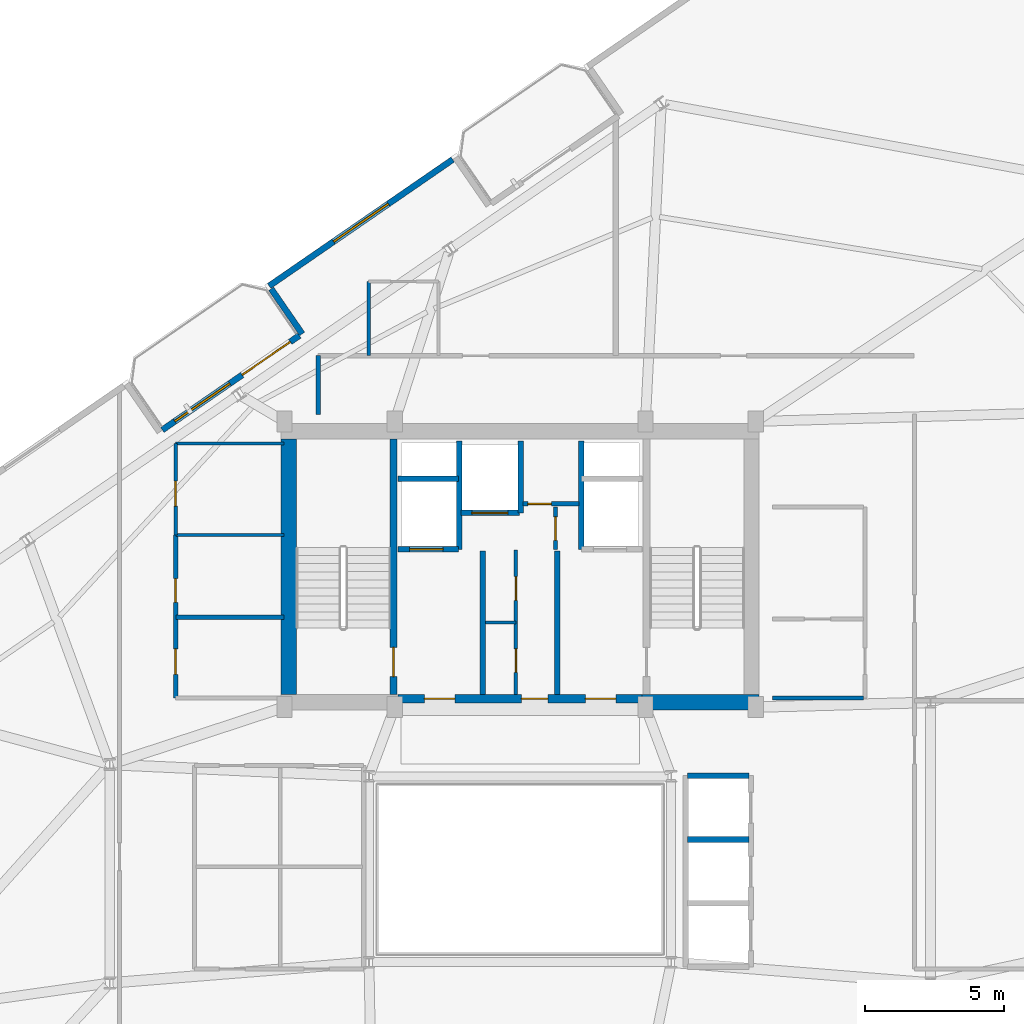
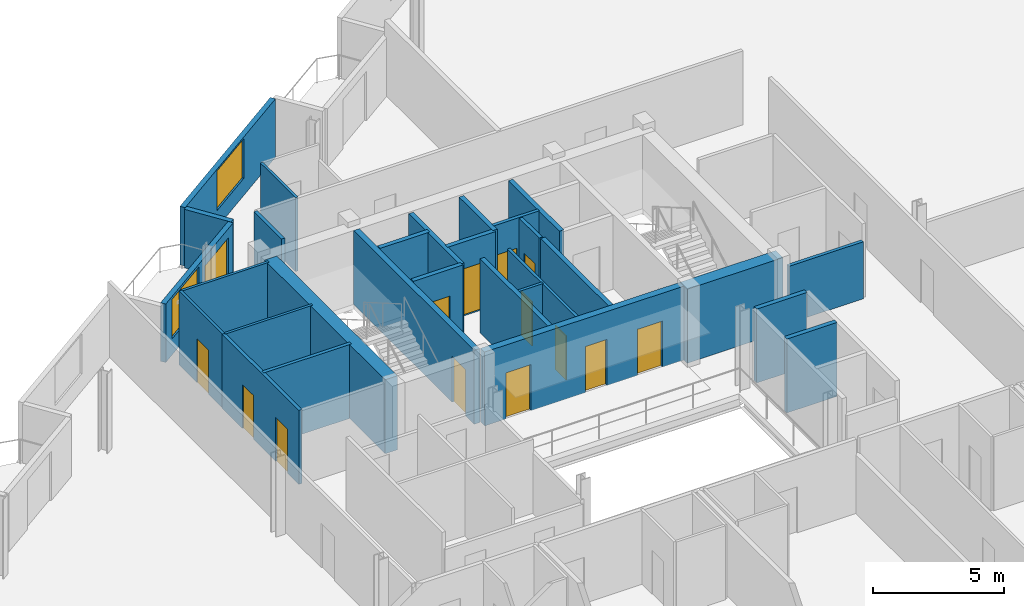
# One storey, part 17 of 22: 29 walls, 14 doors, 2 windows, 16 openings.
"""IFC4 building model written with IfcOpenShell, lengths in metres."""

from ifc_helpers import new_model, si_unit, direction, frame, frame_2d, origin, place, context, subcontext, project, spatial, rectangle, extrude, material, layer, layer_set, type_object, element, fill, save


model = new_model("IFC4")

# Units and contexts
model_context = context("Model", 3, precision=1e-05, world=origin(), true_north=direction((0.0, 1.0)))
body_context = subcontext(model_context, "Body", "Model", "MODEL_VIEW")
ifc_project = project(units=[si_unit("LENGTHUNIT", "METRE"), si_unit("AREAUNIT", "SQUARE_METRE"), si_unit("VOLUMEUNIT", "CUBIC_METRE"), si_unit("PLANEANGLEUNIT", "RADIAN"), si_unit("MASSUNIT", "GRAM", prefix="KILO")], contexts=[model_context])

# Site, building, storey
site_placement = place(None, origin())
site = spatial("IfcSite", under=ifc_project, at=site_placement, CompositionType="ELEMENT")
building_placement = place(site_placement, origin())
building = spatial("IfcBuilding", under=site, at=building_placement, Name="Varnelok Gate Tower", CompositionType="ELEMENT")
storey_placement = place(building_placement, frame((0.0, 0.0, 284.10009765625)))
storey = spatial("IfcBuildingStorey", under=building, at=storey_placement, Name="L73", CompositionType="ELEMENT", Elevation=284.10009765625)

# Wall, openings, door, window
ifc_material_1 = material(Name="Concrete C45/55", Category="concrete")
ifc_layer_1 = layer(ifc_material_1, 0.219970703125)
ifc_layer_set_1 = layer_set([ifc_layer_1], Name="Concrete C45/55")
wall_type_1 = type_object("IfcWallType", Name="EW-BALC-220", PredefinedType="SOLIDWALL", material=ifc_layer_set_1)
wall_1_placement = place(storey_placement, frame((26.29736328125, 38.742919921875, 0.0), z_axis=(0.0, 0.0, 1.0), x_axis=(0.823534636215, 0.567265989598, 0.0)))
wall_1 = element("IfcWall", 1, at=wall_1_placement, inside=storey, type_object=wall_type_1, Name="L73 North Terrace Envelope Wall 5", PredefinedType="SOLIDWALL", context=body_context, shape_type="SweptSolid", body=[
    extrude(rectangle(XDim=6.0, YDim=0.219970703125, at=frame_2d((3.0, 0.0))), origin(), (0.0, 0.0, 1.0), 2.72998046875),
])
opening_1_placement = place(wall_1_placement, frame((3.5, 0.0, 0.0)))
opening_1 = element("IfcOpeningElement", 2, at=opening_1_placement, cuts=wall_1, Name="Opening BD-2", PredefinedType="OPENING", context=body_context, shape_type="SweptSolid", body=[
    extrude(rectangle(XDim=2.10009765625, YDim=2.300048828125, at=frame_2d((1.050048828125, 1.14990234375))), frame((0.0, 0.119873046875, 0.0), z_axis=(0.0, -1.0, 0.0), x_axis=(1.0, 0.0, 0.0)), (0.0, 0.0, 1.0), 0.239990234375),
])
opening_2_placement = place(wall_1_placement, frame((0.550048828125, 0.0, 0.75)))
opening_2 = element("IfcOpeningElement", 3, at=opening_2_placement, cuts=wall_1, Name="Opening WN6", PredefinedType="OPENING", context=body_context, shape_type="SweptSolid", body=[
    extrude(rectangle(XDim=2.39990234375, YDim=1.85009765625, at=frame_2d((1.199951171875, 0.925048828125))), frame((0.0, 0.119873046875, 0.0), z_axis=(0.0, -1.0, 0.0), x_axis=(1.0, 0.0, 0.0)), (0.0, 0.0, 1.0), 0.239990234375),
])
ifc_material_2 = material(Name="Anodized Aluminum Alloy 6063-T6", Category="aluminium")
door_type_1 = type_object("IfcDoorType", Name="DR-EXT-SLID2100", OperationType="SLIDING_TO_LEFT", PredefinedType="DOOR", material=ifc_material_2)
door_1_placement = place(opening_1_placement, origin())
door_1 = element("IfcDoor", 4, at=door_1_placement, inside=storey, type_object=door_type_1, Name="L73 North Balcony Glazed Door 5", OperationType="SLIDING_TO_LEFT", OverallHeight=2.300048828125, OverallWidth=2.10009765625, PredefinedType="DOOR", context=body_context, shape_type="SweptSolid", body=[
    extrude(rectangle(XDim=2.10009765625, YDim=2.300048828125, at=frame_2d((1.050048828125, 1.14990234375))), frame((0.0, 0.02490234375, 0.0), z_axis=(0.0, -1.0, 0.0), x_axis=(1.0, 0.0, 0.0)), (0.0, 0.0, 1.0), 0.050048828125),
])
fill(opening_1, door_1)
ifc_material_3 = material(Name="Low-E Laminated Double Glazing IGU", Category="glass")
window_type = type_object("IfcWindowType", Name="WN-PEN-2400", PartitioningType="SINGLE_PANEL", PredefinedType="WINDOW", material=ifc_material_3)
window_1_placement = place(opening_2_placement, origin())
window_1 = element("IfcWindow", 5, at=window_1_placement, inside=storey, type_object=window_type, Name="L73 North Vision Window 5.1", OverallHeight=1.85009765625, OverallWidth=2.39990234375, PartitioningType="SINGLE_PANEL", PredefinedType="WINDOW", context=body_context, shape_type="SweptSolid", body=[
    extrude(rectangle(XDim=2.39990234375, YDim=1.85009765625, at=frame_2d((1.199951171875, 0.925048828125))), frame((0.0, 0.030029296875, 0.0), z_axis=(0.0, -1.0, 0.0), x_axis=(1.0, 0.0, 0.0)), (0.0, 0.0, 1.0), 0.06005859375),
])
fill(opening_2, window_1)

# Wall, opening, window
wall_2_placement = place(storey_placement, frame((36.768798828125, 48.493896484375, 0.0), z_axis=(0.0, 0.0, 1.0), x_axis=(-0.823521165086, -0.56728554596, 0.0)))
wall_2 = element("IfcWall", 6, at=wall_2_placement, inside=storey, type_object=wall_type_1, Name="L73 Perimeter Facade Closure Wall 32", PredefinedType="SOLIDWALL", context=body_context, shape_type="SweptSolid", body=[
    extrude(rectangle(XDim=8.034912109375, YDim=0.219970703125, at=frame_2d((4.017578125, 0.0))), origin(), (0.0, 0.0, 1.0), 2.72998046875),
])
opening_3_placement = place(wall_2_placement, frame((2.8173828125, 0.0, 0.800048828125)))
opening_3 = element("IfcOpeningElement", 7, at=opening_3_placement, cuts=wall_2, Name="Opening WN6", PredefinedType="OPENING", context=body_context, shape_type="SweptSolid", body=[
    extrude(rectangle(XDim=2.39990234375, YDim=1.85009765625, at=frame_2d((1.199951171875, 0.925048828125))), frame((0.0, 0.119873046875, 0.0), z_axis=(0.0, -1.0, 0.0), x_axis=(1.0, 0.0, 0.0)), (0.0, 0.0, 1.0), 0.239990234375),
])
window_2_placement = place(opening_3_placement, origin())
window_2 = element("IfcWindow", 8, at=window_2_placement, inside=storey, type_object=window_type, Name="L73 Perimeter Vision Window 32", OverallHeight=1.85009765625, OverallWidth=2.39990234375, PartitioningType="SINGLE_PANEL", PredefinedType="WINDOW", context=body_context, shape_type="SweptSolid", body=[
    extrude(rectangle(XDim=2.39990234375, YDim=1.85009765625, at=frame_2d((1.199951171875, 0.925048828125))), frame((0.0, 0.030029296875, 0.0), z_axis=(0.0, -1.0, 0.0), x_axis=(1.0, 0.0, 0.0)), (0.0, 0.0, 1.0), 0.06005859375),
])
fill(opening_3, window_2)

# Walls
wall_3_placement = place(storey_placement, frame((30.22265625, 43.8330078125, 0.0), z_axis=(0.0, 0.0, 1.0), x_axis=(0.567215821234, -0.823569190865, 0.0)))
element("IfcWall", 9, at=wall_3_placement, inside=storey, type_object=wall_type_1, Name="L73 Perimeter Facade Closure Wall 33", PredefinedType="SOLIDWALL", context=body_context, shape_type="SweptSolid", body=[
    extrude(rectangle(XDim=1.97509765625, YDim=0.219970703125, at=frame_2d((0.987548828125, 0.0))), origin(), (0.0, 0.0, 1.0), 2.72998046875),
])
ifc_material_4 = material(Name="Gypsum Plasterboard Acoustic Partition", Category="gypsum")
ifc_layer_2 = layer(ifc_material_4, 0.114990234375)
ifc_layer_set_2 = layer_set([ifc_layer_2], Name="Gypsum Plasterboard Acoustic Partition")
wall_type_2 = type_object("IfcWallType", Name="PW-ENS-125", PredefinedType="PARTITIONING", material=ifc_layer_set_2)
wall_4_placement = place(storey_placement, frame((33.739990234375, 41.419921875, 0.0), z_axis=(0.0, 0.0, 1.0), x_axis=(0.0, 1.0, 0.0)))
element("IfcWall", 10, at=wall_4_placement, inside=storey, type_object=wall_type_2, Name="Interior Partition", PredefinedType="PARTITIONING", context=body_context, shape_type="SweptSolid", body=[
    extrude(rectangle(XDim=2.68017578125, YDim=0.114990234375, at=frame_2d((1.340087890625, 0.0))), origin(), (0.0, 0.0, 1.0), 3.449951171875),
])
wall_5_placement = place(storey_placement, frame((26.800048828125, 34.949951171875, 0.0), z_axis=(0.0, 0.0, 1.0), x_axis=(1.0, 0.0, 0.0)))
element("IfcWall", 11, at=wall_5_placement, inside=storey, type_object=wall_type_2, Name="Interior Partition", PredefinedType="PARTITIONING", context=body_context, shape_type="SweptSolid", body=[
    extrude(rectangle(XDim=3.8798828125, YDim=0.114990234375, at=frame_2d((1.93994140625, 0.0))), origin(), (0.0, 0.0, 1.0), 3.449951171875),
])
wall_6_placement = place(storey_placement, frame((26.780029296875, 38.260009765625, 0.0), z_axis=(0.0, 0.0, 1.0), x_axis=(1.0, 0.0, 0.0)))
element("IfcWall", 12, at=wall_6_placement, inside=storey, type_object=wall_type_2, Name="Interior Partition", PredefinedType="PARTITIONING", context=body_context, shape_type="SweptSolid", body=[
    extrude(rectangle(XDim=3.89990234375, YDim=0.114990234375, at=frame_2d((1.949951171875, 0.0))), origin(), (0.0, 0.0, 1.0), 3.449951171875),
])

# Wall, opening, door
wall_7_placement = place(storey_placement, frame((26.780029296875, 34.949951171875, 0.0), z_axis=(0.0, 0.0, 1.0), x_axis=(0.0, 1.0, 0.0)))
wall_7 = element("IfcWall", 13, at=wall_7_placement, inside=storey, type_object=wall_type_2, Name="Interior Partition", PredefinedType="PARTITIONING", context=body_context, shape_type="SweptSolid", body=[
    extrude(rectangle(XDim=3.31005859375, YDim=0.114990234375, at=frame_2d((1.655029296875, 0.0))), origin(), (0.0, 0.0, 1.0), 3.449951171875),
])
opening_4_placement = place(wall_7_placement, frame((1.050048828125, 0.0, 0.0)))
opening_4 = element("IfcOpeningElement", 14, at=opening_4_placement, cuts=wall_7, Name="Opening D-WC", PredefinedType="OPENING", context=body_context, shape_type="SweptSolid", body=[
    extrude(rectangle(XDim=0.89990234375, YDim=2.050048828125, at=frame_2d((0.449951171875, 1.02490234375))), frame((0.0, 0.0673828125, 0.0), z_axis=(0.0, -1.0, 0.0), x_axis=(1.0, 0.0, 0.0)), (0.0, 0.0, 1.0), 0.135009765625),
])
ifc_material_5 = material(Name="Engineered Hardwood Timber", Category="wood")
door_type_2 = type_object("IfcDoorType", Name="DR-BATH-900", OperationType="NOTDEFINED", PredefinedType="DOOR", material=ifc_material_5)
door_2_placement = place(opening_4_placement, origin())
door_2 = element("IfcDoor", 15, at=door_2_placement, inside=storey, type_object=door_type_2, Name="L73 Core Staff WC Door", OperationType="SINGLE_SWING_LEFT", OverallHeight=2.050048828125, OverallWidth=0.89990234375, PredefinedType="DOOR", context=body_context, shape_type="SweptSolid", body=[
    extrude(rectangle(XDim=0.89990234375, YDim=2.050048828125, at=frame_2d((0.449951171875, 1.02490234375))), frame((0.0, 0.02490234375, 0.0), z_axis=(0.0, -1.0, 0.0), x_axis=(1.0, 0.0, 0.0)), (0.0, 0.0, 1.0), 0.050048828125),
])
fill(opening_4, door_2)

# Wall
ifc_layer_3 = layer(ifc_material_4, 0.125)
ifc_layer_set_3 = layer_set([ifc_layer_3], Name="Gypsum Plasterboard Acoustic Partition")
wall_type_3 = type_object("IfcWallType", Name="PW-PART-125", PredefinedType="PARTITIONING", material=ifc_layer_set_3)
wall_8_placement = place(storey_placement, frame((37.9599609375, 31.800048828125, 0.0), z_axis=(0.0, 0.0, 1.0), x_axis=(1.0, 0.0, 0.0)))
element("IfcWall", 16, at=wall_8_placement, inside=storey, type_object=wall_type_3, Name="Interior Partition", PredefinedType="PARTITIONING", context=body_context, shape_type="SweptSolid", body=[
    extrude(rectangle(XDim=1.090087890625, YDim=0.125, at=frame_2d((0.544921875, 0.0))), origin(), (0.0, 0.0, 1.0), 3.449951171875),
])

# Wall, openings, doors
wall_9_placement = place(storey_placement, frame((39.050048828125, 29.199951171875, 0.0), z_axis=(0.0, 0.0, 1.0), x_axis=(0.0, 1.0, 0.0)))
wall_9 = element("IfcWall", 17, at=wall_9_placement, inside=storey, type_object=wall_type_3, Name="Interior Partition", PredefinedType="PARTITIONING", context=body_context, shape_type="SweptSolid", body=[
    extrude(rectangle(XDim=5.219970703125, YDim=0.125, at=frame_2d((2.60986328125, 0.0))), origin(), (0.0, 0.0, 1.0), 3.449951171875),
])
opening_5_placement = place(wall_9_placement, frame((0.800048828125, 0.0, 0.0)))
opening_5 = element("IfcOpeningElement", 18, at=opening_5_placement, cuts=wall_9, Name="Opening D-RS", PredefinedType="OPENING", context=body_context, shape_type="SweptSolid", body=[
    extrude(rectangle(XDim=0.85009765625, YDim=2.050048828125, at=frame_2d((0.425048828125, 1.02490234375))), frame((0.0, 0.072509765625, 0.0), z_axis=(0.0, -1.0, 0.0), x_axis=(1.0, 0.0, 0.0)), (0.0, 0.0, 1.0), 0.14501953125),
])
opening_6_placement = place(wall_9_placement, frame((3.39990234375, 0.0, 0.0)))
opening_6 = element("IfcOpeningElement", 19, at=opening_6_placement, cuts=wall_9, Name="Opening D-RS", PredefinedType="OPENING", context=body_context, shape_type="SweptSolid", body=[
    extrude(rectangle(XDim=0.85009765625, YDim=2.050048828125, at=frame_2d((0.425048828125, 1.02490234375))), frame((0.0, 0.072509765625, 0.0), z_axis=(0.0, -1.0, 0.0), x_axis=(1.0, 0.0, 0.0)), (0.0, 0.0, 1.0), 0.14501953125),
])
ifc_material_6 = material(Name="Galvanized Steel Grade S350GD", Category="steel")
door_type_3 = type_object("IfcDoorType", Name="DR-RISER-850", OperationType="NOTDEFINED", PredefinedType="DOOR", material=ifc_material_6)
door_3_placement = place(opening_5_placement, origin())
door_3 = element("IfcDoor", 20, at=door_3_placement, inside=storey, type_object=door_type_3, Name="L73 Housekeeping Linen Door", OperationType="SINGLE_SWING_LEFT", OverallHeight=2.050048828125, OverallWidth=0.85009765625, PredefinedType="DOOR", context=body_context, shape_type="SweptSolid", body=[
    extrude(rectangle(XDim=0.85009765625, YDim=2.050048828125, at=frame_2d((0.425048828125, 1.02490234375))), frame((0.0, 0.02490234375, 0.0), z_axis=(0.0, -1.0, 0.0), x_axis=(1.0, 0.0, 0.0)), (0.0, 0.0, 1.0), 0.050048828125),
])
fill(opening_5, door_3)
door_4_placement = place(opening_6_placement, origin())
door_4 = element("IfcDoor", 21, at=door_4_placement, inside=storey, type_object=door_type_3, Name="L73 Janitor Sink Door", OperationType="SINGLE_SWING_RIGHT", OverallHeight=2.050048828125, OverallWidth=0.85009765625, PredefinedType="DOOR", context=body_context, shape_type="SweptSolid", body=[
    extrude(rectangle(XDim=0.85009765625, YDim=2.050048828125, at=frame_2d((0.425048828125, 1.02490234375))), frame((0.0, 0.02490234375, 0.0), z_axis=(0.0, -1.0, 0.0), x_axis=(1.0, 0.0, 0.0)), (0.0, 0.0, 1.0), 0.050048828125),
])
fill(opening_6, door_4)

# Wall
ifc_layer_4 = layer(ifc_material_4, 0.14990234375)
ifc_layer_set_4 = layer_set([ifc_layer_4], Name="Gypsum Plasterboard Acoustic Partition")
wall_type_4 = type_object("IfcWallType", Name="PW-PART-150", PredefinedType="PARTITIONING", material=ifc_layer_set_4)
wall_10_placement = place(storey_placement, frame((31.919921875, 39.300048828125, 0.0), z_axis=(0.0, 0.0, 1.0), x_axis=(0.0, 1.0, 0.0)))
element("IfcWall", 22, at=wall_10_placement, inside=storey, type_object=wall_type_4, Name="Interior Partition", PredefinedType="PARTITIONING", context=body_context, shape_type="SweptSolid", body=[
    extrude(rectangle(XDim=2.119873046875, YDim=0.14990234375, at=frame_2d((1.06005859375, 0.0))), origin(), (0.0, 0.0, 1.0), 3.449951171875),
])

# Wall, opening, door
wall_11_placement = place(storey_placement, frame((39.300048828125, 36.080078125, 0.0), z_axis=(0.0, 0.0, 1.0), x_axis=(1.0, 0.0, 0.0)))
wall_11 = element("IfcWall", 23, at=wall_11_placement, inside=storey, type_object=wall_type_4, Name="L73 Electrical Closet South Wall", PredefinedType="PARTITIONING", context=body_context, shape_type="SweptSolid", body=[
    extrude(rectangle(XDim=2.02001953125, YDim=0.14990234375, at=frame_2d((1.010009765625, 0.0))), origin(), (0.0, 0.0, 1.0), 3.449951171875),
])
opening_7_placement = place(wall_11_placement, frame((0.179931640625, 0.0, 0.0)))
opening_7 = element("IfcOpeningElement", 24, at=opening_7_placement, cuts=wall_11, Name="Opening D-RS", PredefinedType="OPENING", context=body_context, shape_type="SweptSolid", body=[
    extrude(rectangle(XDim=0.85009765625, YDim=2.050048828125, at=frame_2d((0.425048828125, 1.02490234375))), frame((0.0, 0.0849609375, 0.0), z_axis=(0.0, -1.0, 0.0), x_axis=(1.0, 0.0, 0.0)), (0.0, 0.0, 1.0), 0.169921875),
])
door_5_placement = place(opening_7_placement, origin())
door_5 = element("IfcDoor", 25, at=door_5_placement, inside=storey, type_object=door_type_3, Name="L73 Electrical Closet Door", OperationType="SINGLE_SWING_RIGHT", OverallHeight=2.050048828125, OverallWidth=0.85009765625, PredefinedType="DOOR", context=body_context, shape_type="SweptSolid", body=[
    extrude(rectangle(XDim=0.85009765625, YDim=2.050048828125, at=frame_2d((0.425048828125, 1.02490234375))), frame((0.0, 0.02490234375, 0.0), z_axis=(0.0, -1.0, 0.0), x_axis=(1.0, 0.0, 0.0)), (0.0, 0.0, 1.0), 0.050048828125),
])
fill(opening_7, door_5)

wall_12_placement = place(storey_placement, frame((40.47998046875, 34.43994140625, 0.0), z_axis=(0.0, 0.0, 1.0), x_axis=(0.0, 1.0, 0.0)))
wall_12 = element("IfcWall", 26, at=wall_12_placement, inside=storey, type_object=wall_type_4, Name="L73 Telecoms Closet West Wall", PredefinedType="PARTITIONING", context=body_context, shape_type="SweptSolid", body=[
    extrude(rectangle(XDim=1.52001953125, YDim=0.14990234375, at=frame_2d((0.760009765625, 0.0))), origin(), (0.0, 0.0, 1.0), 3.449951171875),
])
opening_8_placement = place(wall_12_placement, frame((0.320068359375, 0.0, 0.0)))
opening_8 = element("IfcOpeningElement", 27, at=opening_8_placement, cuts=wall_12, Name="Opening D-RS", PredefinedType="OPENING", context=body_context, shape_type="SweptSolid", body=[
    extrude(rectangle(XDim=0.85009765625, YDim=2.050048828125, at=frame_2d((0.425048828125, 1.02490234375))), frame((0.0, 0.0849609375, 0.0), z_axis=(0.0, -1.0, 0.0), x_axis=(1.0, 0.0, 0.0)), (0.0, 0.0, 1.0), 0.169921875),
])
door_6_placement = place(opening_8_placement, origin())
door_6 = element("IfcDoor", 28, at=door_6_placement, inside=storey, type_object=door_type_3, Name="L73 Telecoms Closet Door", OperationType="SINGLE_SWING_LEFT", OverallHeight=2.050048828125, OverallWidth=0.85009765625, PredefinedType="DOOR", context=body_context, shape_type="SweptSolid", body=[
    extrude(rectangle(XDim=0.85009765625, YDim=2.050048828125, at=frame_2d((0.425048828125, 1.02490234375))), frame((0.0, 0.02490234375, 0.0), z_axis=(0.0, -1.0, 0.0), x_axis=(1.0, 0.0, 0.0)), (0.0, 0.0, 1.0), 0.050048828125),
])
fill(opening_8, door_6)

# Wall
wall_13_placement = place(storey_placement, frame((26.800048828125, 31.989990234375, 0.0), z_axis=(0.0, 0.0, 1.0), x_axis=(1.0, 0.0, 0.0)))
element("IfcWall", 29, at=wall_13_placement, inside=storey, type_object=wall_type_4, Name="Interior Partition", PredefinedType="PARTITIONING", context=body_context, shape_type="SweptSolid", body=[
    extrude(rectangle(XDim=3.8798828125, YDim=0.14990234375, at=frame_2d((1.93994140625, 0.0))), origin(), (0.0, 0.0, 1.0), 3.449951171875),
])

# Wall, openings, doors
wall_14_placement = place(storey_placement, frame((26.780029296875, 29.080078125, 0.0), z_axis=(0.0, 0.0, 1.0), x_axis=(0.0, 1.0, 0.0)))
wall_14 = element("IfcWall", 30, at=wall_14_placement, inside=storey, type_object=wall_type_4, Name="Interior Partition", PredefinedType="PARTITIONING", context=body_context, shape_type="SweptSolid", body=[
    extrude(rectangle(XDim=5.869873046875, YDim=0.14990234375, at=frame_2d((2.93505859375, 0.0))), origin(), (0.0, 0.0, 1.0), 3.449951171875),
])
opening_9_placement = place(wall_14_placement, frame((0.85009765625, 0.0, 0.0)))
opening_9 = element("IfcOpeningElement", 31, at=opening_9_placement, cuts=wall_14, Name="Opening D-I3", PredefinedType="OPENING", context=body_context, shape_type="SweptSolid", body=[
    extrude(rectangle(XDim=0.919921875, YDim=2.050048828125, at=frame_2d((0.4599609375, 1.02490234375))), frame((0.0, 0.0849609375, 0.0), z_axis=(0.0, -1.0, 0.0), x_axis=(1.0, 0.0, 0.0)), (0.0, 0.0, 1.0), 0.169921875),
])
opening_10_placement = place(wall_14_placement, frame((3.449951171875, 0.0, 0.0)))
opening_10 = element("IfcOpeningElement", 32, at=opening_10_placement, cuts=wall_14, Name="Opening D-RS", PredefinedType="OPENING", context=body_context, shape_type="SweptSolid", body=[
    extrude(rectangle(XDim=0.85009765625, YDim=2.050048828125, at=frame_2d((0.425048828125, 1.02490234375))), frame((0.0, 0.0849609375, 0.0), z_axis=(0.0, -1.0, 0.0), x_axis=(1.0, 0.0, 0.0)), (0.0, 0.0, 1.0), 0.169921875),
])
door_type_4 = type_object("IfcDoorType", Name="DR-INT-920", OperationType="NOTDEFINED", PredefinedType="DOOR", material=ifc_material_5)
door_7_placement = place(opening_9_placement, origin())
door_7 = element("IfcDoor", 33, at=door_7_placement, inside=storey, type_object=door_type_4, Name="L73 Core Linen Door", OperationType="SINGLE_SWING_LEFT", OverallHeight=2.050048828125, OverallWidth=0.919921875, PredefinedType="DOOR", context=body_context, shape_type="SweptSolid", body=[
    extrude(rectangle(XDim=0.919921875, YDim=2.050048828125, at=frame_2d((0.4599609375, 1.02490234375))), frame((0.0, 0.02490234375, 0.0), z_axis=(0.0, -1.0, 0.0), x_axis=(1.0, 0.0, 0.0)), (0.0, 0.0, 1.0), 0.050048828125),
])
fill(opening_9, door_7)
door_8_placement = place(opening_10_placement, origin())
door_8 = element("IfcDoor", 34, at=door_8_placement, inside=storey, type_object=door_type_3, Name="L73 Core Janitor Door", OperationType="SINGLE_SWING_RIGHT", OverallHeight=2.050048828125, OverallWidth=0.85009765625, PredefinedType="DOOR", context=body_context, shape_type="SweptSolid", body=[
    extrude(rectangle(XDim=0.85009765625, YDim=2.050048828125, at=frame_2d((0.425048828125, 1.02490234375))), frame((0.0, 0.02490234375, 0.0), z_axis=(0.0, -1.0, 0.0), x_axis=(1.0, 0.0, 0.0)), (0.0, 0.0, 1.0), 0.050048828125),
])
fill(opening_10, door_8)

# Walls
wall_15_placement = place(storey_placement, frame((48.300048828125, 29.080078125, 0.0), z_axis=(0.0, 0.0, 1.0), x_axis=(1.0, 0.0, 0.0)))
element("IfcWall", 35, at=wall_15_placement, inside=storey, type_object=wall_type_4, Name="Interior Partition", PredefinedType="PARTITIONING", context=body_context, shape_type="SweptSolid", body=[
    extrude(rectangle(XDim=3.280029296875, YDim=0.14990234375, at=frame_2d((1.64013671875, 0.0))), origin(), (0.0, 0.0, 1.0), 2.661865234375),
])
ifc_material_7 = material(Name="Concrete C35/45", Category="concrete")
ifc_layer_5 = layer(ifc_material_7, 0.199951171875)
ifc_layer_set_5 = layer_set([ifc_layer_5], Name="Concrete C35/45")
wall_type_5 = type_object("IfcWallType", Name="PW-SHAFT-200", PredefinedType="PARTITIONING", material=ifc_layer_set_5)
for number, where, z_axis, x_axis, name in (
    (36, (37.860107421875, 29.199951171875, 0.0), (0.0, 0.0, 1.0), (0.0, 1.0, 0.0), "L73 West FF Lobby Rated Wall"),
    (37, (40.5400390625, 29.199951171875, 0.0), (0.0, 0.0, 1.0), (0.0, 1.0, 0.0), "L73 East FF Lobby Rated Wall"),
):
    element("IfcWall", number, at=place(storey_placement, frame(where, z_axis=z_axis, x_axis=x_axis)), inside=storey, type_object=wall_type_5, Name=name, PredefinedType="PARTITIONING", context=body_context, shape_type="SweptSolid", body=[
        extrude(rectangle(XDim=5.179931640625, YDim=0.199951171875, at=frame_2d((2.58984375, 0.0))), origin(), (0.0, 0.0, 1.0), 3.449951171875),
    ])

# Wall, opening, door
wall_16_placement = place(storey_placement, frame((34.800048828125, 34.43994140625, 0.0), z_axis=(0.0, 0.0, 1.0), x_axis=(1.0, 0.0, 0.0)))
wall_16 = element("IfcWall", 38, at=wall_16_placement, inside=storey, type_object=wall_type_5, Name="L73 FF1 Shaft Front Wall", PredefinedType="PARTITIONING", context=body_context, shape_type="SweptSolid", body=[
    extrude(rectangle(XDim=2.179931640625, YDim=0.199951171875, at=frame_2d((1.08984375, 0.0))), origin(), (0.0, 0.0, 1.0), 3.449951171875),
])
opening_11_placement = place(wall_16_placement, frame((0.419921875, 0.0, 0.0)))
opening_11 = element("IfcOpeningElement", 39, at=opening_11_placement, cuts=wall_16, Name="Opening LD-FF1", PredefinedType="OPENING", context=body_context, shape_type="SweptSolid", body=[
    extrude(rectangle(XDim=1.199951171875, YDim=2.199951171875, at=frame_2d((0.60009765625, 1.10009765625))), frame((0.0, 0.10986328125, 0.0), z_axis=(0.0, -1.0, 0.0), x_axis=(1.0, 0.0, 0.0)), (0.0, 0.0, 1.0), 0.219970703125),
])
door_type_5 = type_object("IfcDoorType", Name="DR-LIFT-FF1200", OperationType="SLIDING_TO_LEFT", PredefinedType="DOOR", material=ifc_material_6)
door_9_placement = place(opening_11_placement, origin())
door_9 = element("IfcDoor", 40, at=door_9_placement, inside=storey, type_object=door_type_5, Name="L73 Firefighting Lift Landing Door LD-FF1", OperationType="SLIDING_TO_LEFT", OverallHeight=2.199951171875, OverallWidth=1.199951171875, PredefinedType="DOOR", context=body_context, shape_type="SweptSolid", body=[
    extrude(rectangle(XDim=1.199951171875, YDim=2.199951171875, at=frame_2d((0.60009765625, 1.10009765625))), frame((0.0, 0.02490234375, 0.0), z_axis=(0.0, -1.0, 0.0), x_axis=(1.0, 0.0, 0.0)), (0.0, 0.0, 1.0), 0.050048828125),
])
fill(opening_11, door_9)

# Walls
wall_17_placement = place(storey_placement, frame((34.800048828125, 36.97998046875, 0.0), z_axis=(0.0, 0.0, 1.0), x_axis=(1.0, 0.0, 0.0)))
element("IfcWall", 41, at=wall_17_placement, inside=storey, type_object=wall_type_5, Name="L73 FF1 Shaft North Wall", PredefinedType="PARTITIONING", context=body_context, shape_type="SweptSolid", body=[
    extrude(rectangle(XDim=2.179931640625, YDim=0.199951171875, at=frame_2d((1.08984375, 0.0))), origin(), (0.0, 0.0, 1.0), 3.449951171875),
])
for number, where, z_axis, x_axis, name in (
    (42, (37.0, 34.43994140625, 0.0), (0.0, 0.0, 1.0), (0.0, 1.0, 0.0), "L73 FF1 Shaft Side Wall"),
    (43, (41.39990234375, 34.43994140625, 0.0), (0.0, 0.0, 1.0), (0.0, 1.0, 0.0), "L73 FF2 Shaft Side Wall"),
):
    element("IfcWall", number, at=place(storey_placement, frame(where, z_axis=z_axis, x_axis=x_axis)), inside=storey, type_object=wall_type_5, Name=name, PredefinedType="PARTITIONING", context=body_context, shape_type="SweptSolid", body=[
        extrude(rectangle(XDim=3.900146484375, YDim=0.199951171875, at=frame_2d((1.9501953125, 0.0))), origin(), (0.0, 0.0, 1.0), 3.449951171875),
    ])

# Wall, opening, door
wall_18_placement = place(storey_placement, frame((37.06005859375, 35.75, 0.0), z_axis=(0.0, 0.0, 1.0), x_axis=(1.0, 0.0, 0.0)))
wall_18 = element("IfcWall", 44, at=wall_18_placement, inside=storey, type_object=wall_type_5, Name="L73 SV1 Shaft Front Wall", PredefinedType="PARTITIONING", context=body_context, shape_type="SweptSolid", body=[
    extrude(rectangle(XDim=2.119873046875, YDim=0.199951171875, at=frame_2d((1.06005859375, 0.0))), origin(), (0.0, 0.0, 1.0), 3.449951171875),
])
opening_12_placement = place(wall_18_placement, frame((0.39990234375, 0.0, 0.0)))
opening_12 = element("IfcOpeningElement", 45, at=opening_12_placement, cuts=wall_18, Name="Opening LD-SV1", PredefinedType="OPENING", context=body_context, shape_type="SweptSolid", body=[
    extrude(rectangle(XDim=1.300048828125, YDim=2.199951171875, at=frame_2d((0.64990234375, 1.10009765625))), frame((0.0, 0.10986328125, 0.0), z_axis=(0.0, -1.0, 0.0), x_axis=(1.0, 0.0, 0.0)), (0.0, 0.0, 1.0), 0.219970703125),
])
door_type_6 = type_object("IfcDoorType", Name="DR-LIFT-SV1300", OperationType="SLIDING_TO_LEFT", PredefinedType="DOOR", material=ifc_material_6)
door_10_placement = place(opening_12_placement, origin())
door_10 = element("IfcDoor", 46, at=door_10_placement, inside=storey, type_object=door_type_6, Name="L73 Service Lift Landing Door LD-SV1", OperationType="SLIDING_TO_LEFT", OverallHeight=2.199951171875, OverallWidth=1.300048828125, PredefinedType="DOOR", context=body_context, shape_type="SweptSolid", body=[
    extrude(rectangle(XDim=1.300048828125, YDim=2.199951171875, at=frame_2d((0.64990234375, 1.10009765625))), frame((0.0, 0.02490234375, 0.0), z_axis=(0.0, -1.0, 0.0), x_axis=(1.0, 0.0, 0.0)), (0.0, 0.0, 1.0), 0.050048828125),
])
fill(opening_12, door_10)

# Walls
wall_19_placement = place(storey_placement, frame((39.219970703125, 35.75, 0.0), z_axis=(0.0, 0.0, 1.0), x_axis=(0.0, 1.0, 0.0)))
element("IfcWall", 47, at=wall_19_placement, inside=storey, type_object=wall_type_5, Name="L73 SV1 Shaft East Wall", PredefinedType="PARTITIONING", context=body_context, shape_type="SweptSolid", body=[
    extrude(rectangle(XDim=2.590087890625, YDim=0.199951171875, at=frame_2d((1.294921875, 0.0))), origin(), (0.0, 0.0, 1.0), 3.449951171875),
])
for number, where, z_axis, x_axis, name in (
    (48, (45.239990234375, 23.97509765625, 0.0), (0.0, 0.0, 1.0), (1.0, 0.0, 0.0), "L73 PH2 Divider"),
    (49, (45.239990234375, 26.280029296875, 0.0), (0.0, 0.0, 1.0), (1.0, 0.0, 0.0), "L73 PH Bank North Wall"),
):
    element("IfcWall", number, at=place(storey_placement, frame(where, z_axis=z_axis, x_axis=x_axis)), inside=storey, type_object=wall_type_5, Name=name, PredefinedType="PARTITIONING", context=body_context, shape_type="SweptSolid", body=[
        extrude(rectangle(XDim=2.219970703125, YDim=0.199951171875, at=frame_2d((1.10986328125, 0.0))), origin(), (0.0, 0.0, 1.0), 3.449951171875),
    ])
ifc_material_8 = material(Name="Concrete C60/75", Category="concrete")
ifc_layer_6 = layer(ifc_material_8, 0.550048828125)
ifc_layer_set_6 = layer_set([ifc_layer_6], Name="Concrete C60/75")
wall_type_6 = type_object("IfcWallType", Name="SW-CORE-550", PredefinedType="SHEAR", material=ifc_layer_set_6)
wall_20_placement = place(storey_placement, frame((30.85498046875, 29.199951171875, 0.0), z_axis=(0.0, 0.0, 1.0), x_axis=(0.0, 1.0, 0.0)))
element("IfcWall", 50, at=wall_20_placement, inside=storey, type_object=wall_type_6, Name="L73 Rear Core West Shear Wall", PredefinedType="SHEAR", context=body_context, shape_type="SweptSolid", body=[
    extrude(rectangle(XDim=9.219970703125, YDim=0.550048828125, at=frame_2d((4.60986328125, 0.0))), origin(), (0.0, 0.0, 1.0), 3.449951171875),
])
wall_21_placement = place(storey_placement, frame((43.60009765625, 28.925048828125, 0.0), z_axis=(0.0, 0.0, 1.0), x_axis=(1.0, 0.0, 0.0)))
element("IfcWall", 51, at=wall_21_placement, inside=storey, type_object=wall_type_6, Name="L73 Rear Core South-East Shear Wall", PredefinedType="SHEAR", context=body_context, shape_type="SweptSolid", body=[
    extrude(rectangle(XDim=4.219970703125, YDim=0.550048828125, at=frame_2d((2.10986328125, 0.0))), origin(), (0.0, 0.0, 1.0), 3.449951171875),
])

# Wall, opening, door
ifc_layer_7 = layer(ifc_material_8, 0.25)
ifc_layer_set_7 = layer_set([ifc_layer_7], Name="Concrete C60/75")
wall_type_7 = type_object("IfcWallType", Name="SW-SHAFT-250", PredefinedType="SHEAR", material=ifc_layer_set_7)
wall_22_placement = place(storey_placement, frame((34.639892578125, 29.199951171875, 0.0), z_axis=(0.0, 0.0, 1.0), x_axis=(0.0, 1.0, 0.0)))
wall_22 = element("IfcWall", 52, at=wall_22_placement, inside=storey, type_object=wall_type_7, Name="L73 Stair ST-1 East Shear Wall", PredefinedType="SHEAR", context=body_context, shape_type="SweptSolid", body=[
    extrude(rectangle(XDim=9.219970703125, YDim=0.25, at=frame_2d((4.60986328125, 0.0))), origin(), (0.0, 0.0, 1.0), 3.449951171875),
])
opening_13_placement = place(wall_22_placement, frame((0.64990234375, 0.0, 0.0)))
opening_13 = element("IfcOpeningElement", 53, at=opening_13_placement, cuts=wall_22, Name="Opening D-ST", PredefinedType="OPENING", context=body_context, shape_type="SweptSolid", body=[
    extrude(rectangle(XDim=1.050048828125, YDim=2.14990234375, at=frame_2d((0.52490234375, 1.074951171875))), frame((0.0, 0.135009765625, 0.0), z_axis=(0.0, -1.0, 0.0), x_axis=(1.0, 0.0, 0.0)), (0.0, 0.0, 1.0), 0.27001953125),
])
door_type_7 = type_object("IfcDoorType", Name="DR-STAIR-1050", OperationType="NOTDEFINED", PredefinedType="DOOR", material=ifc_material_6)
door_11_placement = place(opening_13_placement, origin())
door_11 = element("IfcDoor", 54, at=door_11_placement, inside=storey, type_object=door_type_7, Name="L73 Exit Stair ST-1 Fire Door", OperationType="SINGLE_SWING_LEFT", OverallHeight=2.14990234375, OverallWidth=1.050048828125, PredefinedType="DOOR", context=body_context, shape_type="SweptSolid", body=[
    extrude(rectangle(XDim=1.050048828125, YDim=2.14990234375, at=frame_2d((0.52490234375, 1.074951171875))), frame((0.0, 0.02490234375, 0.0), z_axis=(0.0, -1.0, 0.0), x_axis=(1.0, 0.0, 0.0)), (0.0, 0.0, 1.0), 0.050048828125),
])
fill(opening_13, door_11)

# Wall, openings, doors
ifc_layer_8 = layer(ifc_material_8, 0.300048828125)
ifc_layer_set_8 = layer_set([ifc_layer_8], Name="Concrete C60/75")
wall_type_8 = type_object("IfcWallType", Name="SW-SHAFT-300", PredefinedType="SHEAR", material=ifc_layer_set_8)
wall_23_placement = place(storey_placement, frame((34.800048828125, 29.050048828125, 0.0), z_axis=(0.0, 0.0, 1.0), x_axis=(1.0, 0.0, 0.0)))
wall_23 = element("IfcWall", 55, at=wall_23_placement, inside=storey, type_object=wall_type_8, Name="L73 Rear Core Central Lobby Shear Wall", PredefinedType="SHEAR", context=body_context, shape_type="SweptSolid", body=[
    extrude(rectangle(XDim=8.800048828125, YDim=0.300048828125, at=frame_2d((4.39990234375, 0.0))), origin(), (0.0, 0.0, 1.0), 3.449951171875),
])
opening_14_placement = place(wall_23_placement, frame((0.949951171875, 0.0, 0.0)))
opening_14 = element("IfcOpeningElement", 56, at=opening_14_placement, cuts=wall_23, Name="Opening D-FF", PredefinedType="OPENING", context=body_context, shape_type="SweptSolid", body=[
    extrude(rectangle(XDim=1.10009765625, YDim=2.14990234375, at=frame_2d((0.550048828125, 1.074951171875))), frame((0.0, 0.159912109375, 0.0), z_axis=(0.0, -1.0, 0.0), x_axis=(1.0, 0.0, 0.0)), (0.0, 0.0, 1.0), 0.320068359375),
])
opening_15_placement = place(wall_23_placement, frame((6.75, 0.0, 0.0)))
opening_15 = element("IfcOpeningElement", 57, at=opening_15_placement, cuts=wall_23, Name="Opening D-FF", PredefinedType="OPENING", context=body_context, shape_type="SweptSolid", body=[
    extrude(rectangle(XDim=1.10009765625, YDim=2.14990234375, at=frame_2d((0.550048828125, 1.074951171875))), frame((0.0, 0.159912109375, 0.0), z_axis=(0.0, -1.0, 0.0), x_axis=(1.0, 0.0, 0.0)), (0.0, 0.0, 1.0), 0.320068359375),
])
opening_16_placement = place(wall_23_placement, frame((4.449951171875, 0.0, 0.0)))
opening_16 = element("IfcOpeningElement", 58, at=opening_16_placement, cuts=wall_23, Name="Opening D-CR", PredefinedType="OPENING", context=body_context, shape_type="SweptSolid", body=[
    extrude(rectangle(XDim=0.949951171875, YDim=2.14990234375, at=frame_2d((0.47509765625, 1.074951171875))), frame((0.0, 0.159912109375, 0.0), z_axis=(0.0, -1.0, 0.0), x_axis=(1.0, 0.0, 0.0)), (0.0, 0.0, 1.0), 0.320068359375),
])
door_type_8 = type_object("IfcDoorType", Name="DR-CORR-950", OperationType="NOTDEFINED", PredefinedType="DOOR", material=ifc_material_6)
door_12_placement = place(opening_16_placement, origin())
door_12 = element("IfcDoor", 59, at=door_12_placement, inside=storey, type_object=door_type_8, Name="L73 Core Service Passage Door", OperationType="SINGLE_SWING_LEFT", OverallHeight=2.14990234375, OverallWidth=0.949951171875, PredefinedType="DOOR", context=body_context, shape_type="SweptSolid", body=[
    extrude(rectangle(XDim=0.949951171875, YDim=2.14990234375, at=frame_2d((0.47509765625, 1.074951171875))), frame((0.0, 0.02490234375, 0.0), z_axis=(0.0, -1.0, 0.0), x_axis=(1.0, 0.0, 0.0)), (0.0, 0.0, 1.0), 0.050048828125),
])
fill(opening_16, door_12)
door_type_9 = type_object("IfcDoorType", Name="DR-FFLOB-1100", OperationType="NOTDEFINED", PredefinedType="DOOR", material=ifc_material_6)
door_13_placement = place(opening_14_placement, origin())
door_13 = element("IfcDoor", 60, at=door_13_placement, inside=storey, type_object=door_type_9, Name="L73 West Firefighting Lobby Fire Door", OperationType="SINGLE_SWING_RIGHT", OverallHeight=2.14990234375, OverallWidth=1.10009765625, PredefinedType="DOOR", context=body_context, shape_type="SweptSolid", body=[
    extrude(rectangle(XDim=1.10009765625, YDim=2.14990234375, at=frame_2d((0.550048828125, 1.074951171875))), frame((0.0, 0.02490234375, 0.0), z_axis=(0.0, -1.0, 0.0), x_axis=(1.0, 0.0, 0.0)), (0.0, 0.0, 1.0), 0.050048828125),
])
fill(opening_14, door_13)
door_14_placement = place(opening_15_placement, origin())
door_14 = element("IfcDoor", 61, at=door_14_placement, inside=storey, type_object=door_type_9, Name="L73 East Firefighting Lobby Fire Door", OperationType="SINGLE_SWING_LEFT", OverallHeight=2.14990234375, OverallWidth=1.10009765625, PredefinedType="DOOR", context=body_context, shape_type="SweptSolid", body=[
    extrude(rectangle(XDim=1.10009765625, YDim=2.14990234375, at=frame_2d((0.550048828125, 1.074951171875))), frame((0.0, 0.02490234375, 0.0), z_axis=(0.0, -1.0, 0.0), x_axis=(1.0, 0.0, 0.0)), (0.0, 0.0, 1.0), 0.050048828125),
])
fill(opening_15, door_14)

save(model, "model.ifc")
